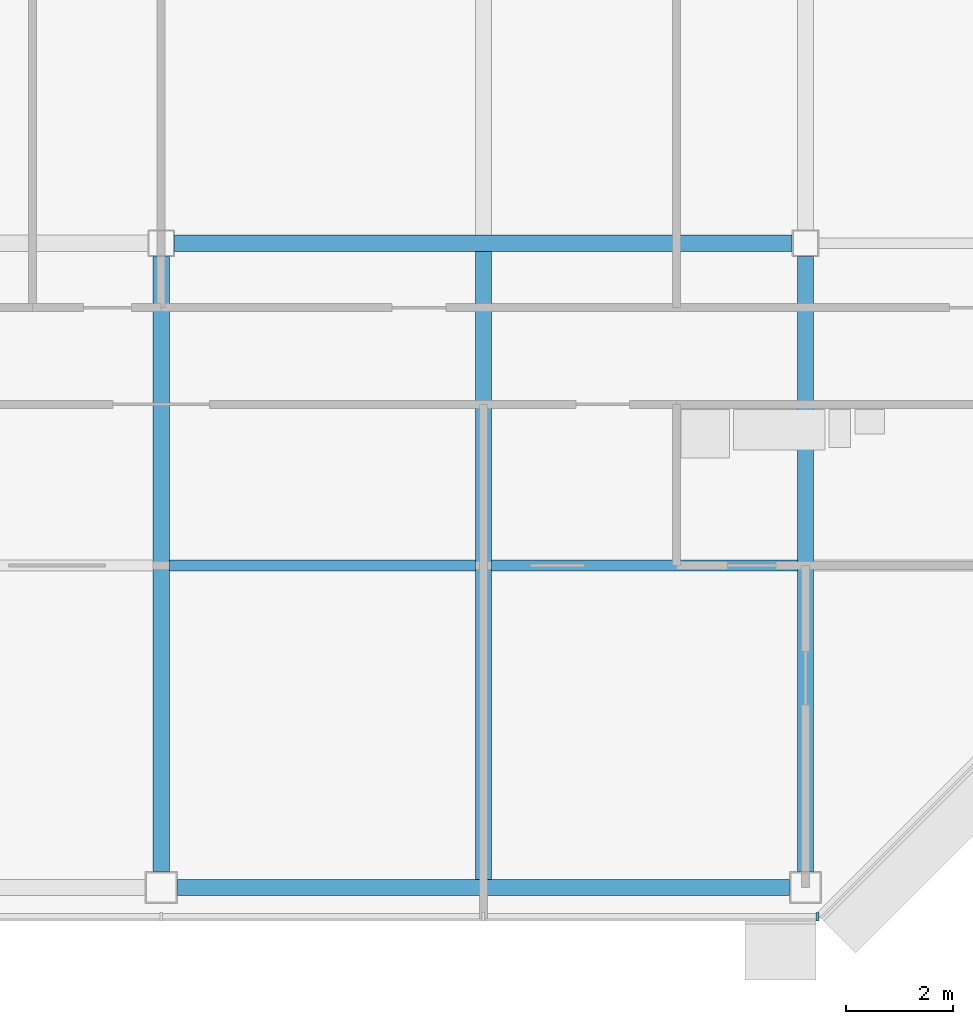
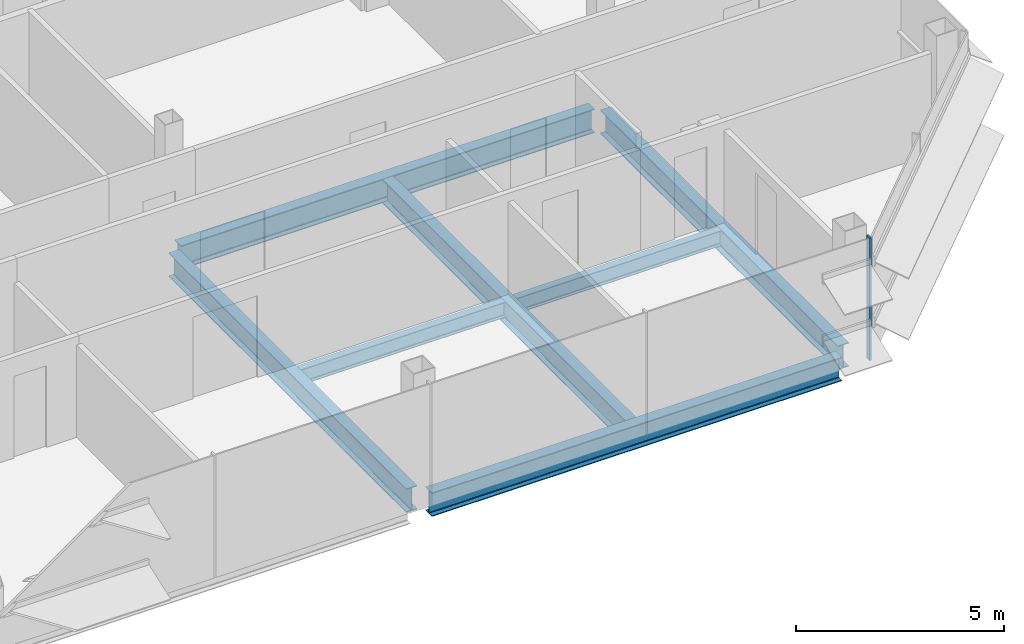
# One storey, part 10 of 28: 7 beams, 1 member, 1 element without a shape of its own.
"""IFC4 building model written with IfcOpenShell, lengths in metres."""

import ifcopenshell
import ifcopenshell.guid

model = None  # the IFC model being written
_history = None  # IfcOwnerHistory: only IFC2X3 demands one
_inside = {}  # id of a spatial element -> (the spatial element, [elements in it])
_under = {}  # id of a project, library or spatial element -> (it, [spatial elements below it])
_declared = {}  # id of a project -> (the project, [libraries it declares])
_typed = {}  # id of a type object -> (the type object, [elements of that type])
_made_of = {}  # id of a material, layer set ... -> (it, [elements and type objects made of it])


def new_model(schema):
    """Start an empty IFC model of exactly this schema.

    Asked for "IFC4X3", IfcOpenShell would pick the latest addendum, in which some entities
    have other attributes; the version numbers below select the first issue.
    IFC2X3 requires an IfcOwnerHistory on every rooted entity: one is made here for all.
    """
    global model, _history
    if schema == "IFC4X3":
        model = ifcopenshell.file(schema_version=(4, 3, 0, 0))
    else:
        model = ifcopenshell.file(schema=schema)
    _inside.clear()
    _under.clear()
    _declared.clear()
    _typed.clear()
    _made_of.clear()
    _history = None
    if model.schema == "IFC2X3":
        org = make("IfcOrganization", Name="unknown")
        user = make(
            "IfcPersonAndOrganization",
            ThePerson=make("IfcPerson", FamilyName="unknown"),
            TheOrganization=org,
        )
        app = make(
            "IfcApplication",
            ApplicationDeveloper=org,
            Version="unknown",
            ApplicationFullName="unknown",
            ApplicationIdentifier="unknown",
        )
        _history = make(
            "IfcOwnerHistory",
            OwningUser=user,
            OwningApplication=app,
            ChangeAction="ADDED",
            CreationDate=0,
        )
    return model


def make(cls, **values):
    """One entity of the class cls with the attributes given. An attribute that is None is left unset."""
    return model.create_entity(
        cls, **{name: value for name, value in values.items() if value is not None}
    )


def rooted(cls, **values):
    """An entity with a GlobalId (a new one), such as an element, a storey or a relation."""
    return make(cls, GlobalId=ifcopenshell.guid.new(), OwnerHistory=_history, **values)


def si_unit(unit_type, name, prefix=None):
    """IfcSIUnit, for example si_unit("LENGTHUNIT", "METRE", prefix="MILLI")."""
    return make("IfcSIUnit", UnitType=unit_type, Prefix=prefix, Name=name)


def assignment(units):
    """IfcUnitAssignment: the units of a project."""
    return None if units is None else make("IfcUnitAssignment", Units=units)


def point(xyz):
    """IfcCartesianPoint."""
    return None if xyz is None else make("IfcCartesianPoint", Coordinates=xyz)


def direction(xyz):
    """IfcDirection."""
    return None if xyz is None else make("IfcDirection", DirectionRatios=xyz)


def frame(location, z_axis=None, x_axis=None):
    """IfcAxis2Placement3D, a coordinate frame: its origin and axes. An axis left out is left unset."""
    return make(
        "IfcAxis2Placement3D",
        Location=point(location),
        Axis=direction(z_axis),
        RefDirection=direction(x_axis),
    )


def frame_2d(location, x_axis=None):
    """IfcAxis2Placement2D, a coordinate frame in the plane: its origin and x axis."""
    return make(
        "IfcAxis2Placement2D", Location=point(location), RefDirection=direction(x_axis)
    )


def origin():
    """The frame at (0, 0, 0) with its axes left unset."""
    return frame((0.0, 0.0, 0.0))


def origin_2d():
    """The frame at (0, 0) in the plane with its x axis left unset."""
    return frame_2d((0.0, 0.0))


def place(relative_to, where):
    """IfcLocalPlacement: puts the frame where relative to a parent placement (None: the world)."""
    return make(
        "IfcLocalPlacement", PlacementRelTo=relative_to, RelativePlacement=where
    )


def context(
    kind, dimensions, precision=None, world=None, true_north=None, identifier=None
):
    """IfcGeometricRepresentationContext, for example the 3D "Model" context."""
    return make(
        "IfcGeometricRepresentationContext",
        ContextIdentifier=identifier,
        ContextType=kind,
        CoordinateSpaceDimension=dimensions,
        Precision=precision,
        WorldCoordinateSystem=world,
        TrueNorth=true_north,
    )


def subcontext(parent, identifier, kind, view, scale=None):
    """IfcGeometricRepresentationSubContext, for example "Body" below "Model"."""
    return make(
        "IfcGeometricRepresentationSubContext",
        ContextIdentifier=identifier,
        ContextType=kind,
        ParentContext=parent,
        TargetScale=scale,
        TargetView=view,
    )


def project(units=None, contexts=None):
    """IfcProject with its units and contexts."""
    return rooted(
        "IfcProject",
        Name="project",
        RepresentationContexts=contexts,
        UnitsInContext=assignment(units),
    )


def spatial(cls, under=None, at=None, **own):
    """A site, building, storey or space (cls), placed at a placement, below another one or the project."""
    s = rooted(cls, ObjectPlacement=at, **own)
    if under is not None:
        _under.setdefault(under.id(), (under, []))[1].append(s)
    return s


def profile(cls, at=None, kind="AREA", **sizes):
    """A parametric profile (cls). Its sizes go by their IFC names, for example OverallWidth=200.0."""
    return make(cls, ProfileType=kind, Position=at, **sizes)


def rectangle(**sizes):
    """IfcRectangleProfileDef."""
    return profile("IfcRectangleProfileDef", **sizes)


def i_section(**sizes):
    """IfcIShapeProfileDef."""
    return profile("IfcIShapeProfileDef", **sizes)


def extrude(swept, where, along, depth):
    """IfcExtrudedAreaSolid: the profile swept, set in the frame where, extruded along a direction by depth."""
    return make(
        "IfcExtrudedAreaSolid",
        SweptArea=swept,
        Position=where,
        ExtrudedDirection=direction(along),
        Depth=depth,
    )


def shape(context_of_items, identifier, shape_type, items):
    """IfcShapeRepresentation: the items that make up one representation, for example the "Body"."""
    return make(
        "IfcShapeRepresentation",
        ContextOfItems=context_of_items,
        RepresentationIdentifier=identifier,
        RepresentationType=shape_type,
        Items=items,
    )


def material(Name=None, Category=None):
    """IfcMaterial."""
    return make("IfcMaterial", Name=Name, Category=Category)


def material_profile(
    of_material, cross_section, Name=None, Category=None, Priority=None
):
    """IfcMaterialProfile: a cross section and its material."""
    return make(
        "IfcMaterialProfile",
        Name=Name,
        Material=of_material,
        Profile=cross_section,
        Priority=Priority,
        Category=Category,
    )


def profile_set(profiles, Name=None, composite=None):
    """IfcMaterialProfileSet."""
    return make(
        "IfcMaterialProfileSet",
        Name=Name,
        MaterialProfiles=profiles,
        CompositeProfile=composite,
    )


def made_of(thing, what):
    """Note that an element or type object is made of a material, layer set ...; save() writes the relation."""
    if what is not None:
        _made_of.setdefault(what.id(), (what, []))[1].append(thing)
    return thing


def type_object(cls, material=None, **own):
    """A type object (cls), such as IfcWallType, which elements share."""
    return made_of(rooted(cls, **own), material)


def element(
    cls,
    number,
    at=None,
    inside=None,
    cuts=None,
    type_object=None,
    material=None,
    context=None,
    identifier="Body",
    shape_type=None,
    held_by="IfcProductDefinitionShape",
    body=None,
    shapes=None,
    **own,
):
    """One element of the class cls, such as IfcWall. Its Tag is "e" and its number.

    at: its placement. inside: the storey or other place that contains it. cuts: it is an
    opening in that element (IfcRelVoidsElement). A single representation is given by context,
    identifier, shape_type and body (its items); several are given by shapes. held_by: the class
    of the entity that holds the representations. save() writes the other relations.
    """
    e = rooted(cls, Tag="e%d" % number, ObjectPlacement=at, **own)
    if body is not None:
        shapes = [shape(context, identifier, shape_type, body)]
    if shapes is not None:
        e.Representation = make(held_by, Representations=shapes)
    if inside is not None:
        _inside.setdefault(inside.id(), (inside, []))[1].append(e)
    if cuts is not None:
        rooted(
            "IfcRelVoidsElement", RelatingBuildingElement=cuts, RelatedOpeningElement=e
        )
    if type_object is not None:
        _typed.setdefault(type_object.id(), (type_object, []))[1].append(e)
    return made_of(e, material)


def aggregate(whole, parts):
    """IfcRelAggregates: a whole, such as a stair, and the parts it consists of."""
    return rooted("IfcRelAggregates", RelatingObject=whole, RelatedObjects=parts)


def save(model, path):
    """Write the relations noted so far, then the file.

    IfcRelAggregates (storeys below a building ...), IfcRelContainedInSpatialStructure (elements
    in a storey), IfcRelDefinesByType, IfcRelAssociatesMaterial and IfcRelDeclares: one each for
    every whole, place, type object, material and project.
    """
    for whole, parts in _under.values():
        aggregate(whole, parts)
    for where, things in _inside.values():
        rooted(
            "IfcRelContainedInSpatialStructure",
            RelatedElements=things,
            RelatingStructure=where,
        )
    for kind, things in _typed.values():
        rooted("IfcRelDefinesByType", RelatedObjects=things, RelatingType=kind)
    for what, things in _made_of.values():
        rooted("IfcRelAssociatesMaterial", RelatedObjects=things, RelatingMaterial=what)
    for by, libraries in _declared.values():
        rooted("IfcRelDeclares", RelatingContext=by, RelatedDefinitions=libraries)
    model.write(path)


model = new_model("IFC4")

# Units and contexts
model_context = context("Model", 3, precision=1e-05, world=origin(), true_north=direction((0.0, 1.0)))
body_context = subcontext(model_context, "Body", "Model", "MODEL_VIEW")
ifc_project = project(units=[si_unit("LENGTHUNIT", "METRE"), si_unit("AREAUNIT", "SQUARE_METRE"), si_unit("VOLUMEUNIT", "CUBIC_METRE"), si_unit("PLANEANGLEUNIT", "RADIAN"), si_unit("MASSUNIT", "GRAM", prefix="KILO")], contexts=[model_context])

# Site, building, storey
site_placement = place(None, origin())
site = spatial("IfcSite", under=ifc_project, at=site_placement, CompositionType="ELEMENT")
building_placement = place(site_placement, origin())
building = spatial("IfcBuilding", under=site, at=building_placement, Name="Sorahane Residences", CompositionType="ELEMENT")
storey_placement = place(building_placement, frame((0.0, 0.0, 266.60009765625)))
storey = spatial("IfcBuildingStorey", under=building, at=storey_placement, Name="L63", CompositionType="ELEMENT", Elevation=266.60009765625)

# Curtain wall, member
ifc_material_1 = material(Name="Dark low-e glass and black anodised aluminium", Category="aluminium")
curtain_wall_type = type_object("IfcCurtainWallType", Name="Curtain wall CW-1 Typical unitised wall", PredefinedType="NOTDEFINED", material=ifc_material_1)
curtain_wall_placement = place(storey_placement, origin())
curtain_wall = element("IfcCurtainWall", 1, at=curtain_wall_placement, inside=storey, type_object=curtain_wall_type, Name="CW-1 curtain wall L63 S1", PredefinedType="NOTDEFINED")
ifc_material_2 = material(Name="Black anodised aluminium", Category="aluminium")
ifc_material_profile_1 = material_profile(ifc_material_2, rectangle(XDim=0.159912109375, YDim=0.050048828125, at=origin_2d()), Name="Curtain wall mullion CW-1 black anodised aluminium 50x160")
ifc_profile_set_1 = profile_set([ifc_material_profile_1], Name="Black anodised aluminium")
member_type = type_object("IfcMemberType", Name="Curtain wall mullion CW-1 black anodised aluminium 50x160", PredefinedType="MULLION", material=ifc_profile_set_1)
member_placement = place(storey_placement, frame((48.2236328125, -0.5400390625, -0.18017578125), z_axis=(0.0, 0.0, 1.0), x_axis=(0.0, -1.0, 0.0)))
member = element("IfcMember", 2, at=member_placement, type_object=member_type, Name="CW-1 mullion L63 S1.10", PredefinedType="MULLION", context=body_context, shape_type="SweptSolid", body=[
    extrude(rectangle(XDim=0.159912109375, YDim=0.050048828125, at=origin_2d()), origin(), (0.0, 0.0, 1.0), 3.60009765625),
])
aggregate(curtain_wall, [member])

# Beams
ifc_material_3 = material(Name="Steel Q355B", Category="steel")
ifc_material_profile_2 = material_profile(ifc_material_3, i_section(OverallWidth=0.199951171875, OverallDepth=0.449951171875, WebThickness=0.009033203125, FlangeThickness=0.013916015625, FilletRadius=0.02001953125, at=origin_2d()), Name="HN 450x200x9x14")
ifc_profile_set_2 = profile_set([ifc_material_profile_2], Name="Steel Q355B")
beam_type_1 = type_object("IfcBeamType", Name="Steel floor beam HN 450x200x9x14 Q355B", PredefinedType="BEAM", material=ifc_profile_set_2)
for number, where, z_axis, x_axis, name in (
    (3, (36.14990234375, 6.0, -0.405029296875), (1.0, 0.0, 0.0), (0.0, 1.0, 0.0), "Beam L63 075"),
    (4, (42.14990234375, 6.0, -0.405029296875), (1.0, 0.0, 0.0), (0.0, 1.0, 0.0), "Beam L63 076"),
):
    element("IfcBeam", number, at=place(storey_placement, frame(where, z_axis=z_axis, x_axis=x_axis)), inside=storey, type_object=beam_type_1, Name=name, PredefinedType="BEAM", context=body_context, shape_type="SweptSolid", body=[
        extrude(i_section(OverallWidth=0.199951171875, OverallDepth=0.449951171875, WebThickness=0.009033203125, FlangeThickness=0.013916015625, FilletRadius=0.02001953125, at=origin_2d()), origin(), (0.0, 0.0, 1.0), 5.7001953125),
    ])
ifc_material_4 = material(Name="Steel Q355B", Category="steel")
ifc_material_profile_3 = material_profile(ifc_material_4, i_section(OverallWidth=0.300048828125, OverallDepth=0.699951171875, WebThickness=0.012939453125, FlangeThickness=0.02392578125, FilletRadius=0.028076171875, at=origin_2d()), Name="HN 700x300x13x24")
ifc_profile_set_3 = profile_set([ifc_material_profile_3], Name="Steel Q355B")
beam_type_2 = type_object("IfcBeamType", Name="Steel floor beam HN 700x300x13x24 Q355B", PredefinedType="BEAM", material=ifc_profile_set_3)
beam_1_placement = place(storey_placement, frame((36.300048828125, 0.0, -0.530029296875), z_axis=(1.0, 0.0, 0.0), x_axis=(0.0, 1.0, 0.0)))
element("IfcBeam", 5, at=beam_1_placement, inside=storey, type_object=beam_type_2, Name="Beam L63 004", PredefinedType="BEAM", context=body_context, shape_type="SweptSolid", body=[
    extrude(i_section(OverallWidth=0.300048828125, OverallDepth=0.699951171875, WebThickness=0.012939453125, FlangeThickness=0.02392578125, FilletRadius=0.028076171875, at=origin_2d()), origin(), (0.0, 0.0, 1.0), 11.39990234375),
])
beam_2_placement = place(storey_placement, frame((36.25, 12.0, -0.530029296875), z_axis=(1.0, 0.0, 0.0), x_axis=(0.0, 1.0, 0.0)))
element("IfcBeam", 6, at=beam_2_placement, inside=storey, type_object=beam_type_2, Name="Beam L63 009", PredefinedType="BEAM", context=body_context, shape_type="SweptSolid", body=[
    extrude(i_section(OverallWidth=0.300048828125, OverallDepth=0.699951171875, WebThickness=0.012939453125, FlangeThickness=0.02392578125, FilletRadius=0.028076171875, at=origin_2d()), origin(), (0.0, 0.0, 1.0), 11.5),
])
beam_3_placement = place(storey_placement, frame((36.0, 0.300048828125, -0.530029296875), z_axis=(0.0, 1.0, 0.0), x_axis=(-1.0, 0.0, 0.0)))
element("IfcBeam", 7, at=beam_3_placement, inside=storey, type_object=beam_type_2, Name="Beam L63 050", PredefinedType="BEAM", context=body_context, shape_type="SweptSolid", body=[
    extrude(i_section(OverallWidth=0.300048828125, OverallDepth=0.699951171875, WebThickness=0.012939453125, FlangeThickness=0.02392578125, FilletRadius=0.028076171875, at=origin_2d()), origin(), (0.0, 0.0, 1.0), 11.449951171875),
])
beam_4_placement = place(storey_placement, frame((42.0, 0.14990234375, -0.530029296875), z_axis=(0.0, 1.0, 0.0), x_axis=(-1.0, 0.0, 0.0)))
element("IfcBeam", 8, at=beam_4_placement, inside=storey, type_object=beam_type_2, Name="Beam L63 052", PredefinedType="BEAM", context=body_context, shape_type="SweptSolid", body=[
    extrude(i_section(OverallWidth=0.300048828125, OverallDepth=0.699951171875, WebThickness=0.012939453125, FlangeThickness=0.02392578125, FilletRadius=0.028076171875, at=origin_2d()), origin(), (0.0, 0.0, 1.0), 11.7001953125),
])
beam_5_placement = place(storey_placement, frame((48.0, 0.300048828125, -0.530029296875), z_axis=(0.0, 1.0, 0.0), x_axis=(-1.0, 0.0, 0.0)))
element("IfcBeam", 9, at=beam_5_placement, inside=storey, type_object=beam_type_2, Name="Beam L63 058", PredefinedType="BEAM", context=body_context, shape_type="SweptSolid", body=[
    extrude(i_section(OverallWidth=0.300048828125, OverallDepth=0.699951171875, WebThickness=0.012939453125, FlangeThickness=0.02392578125, FilletRadius=0.028076171875, at=origin_2d()), origin(), (0.0, 0.0, 1.0), 11.449951171875),
])

save(model, "model.ifc")
